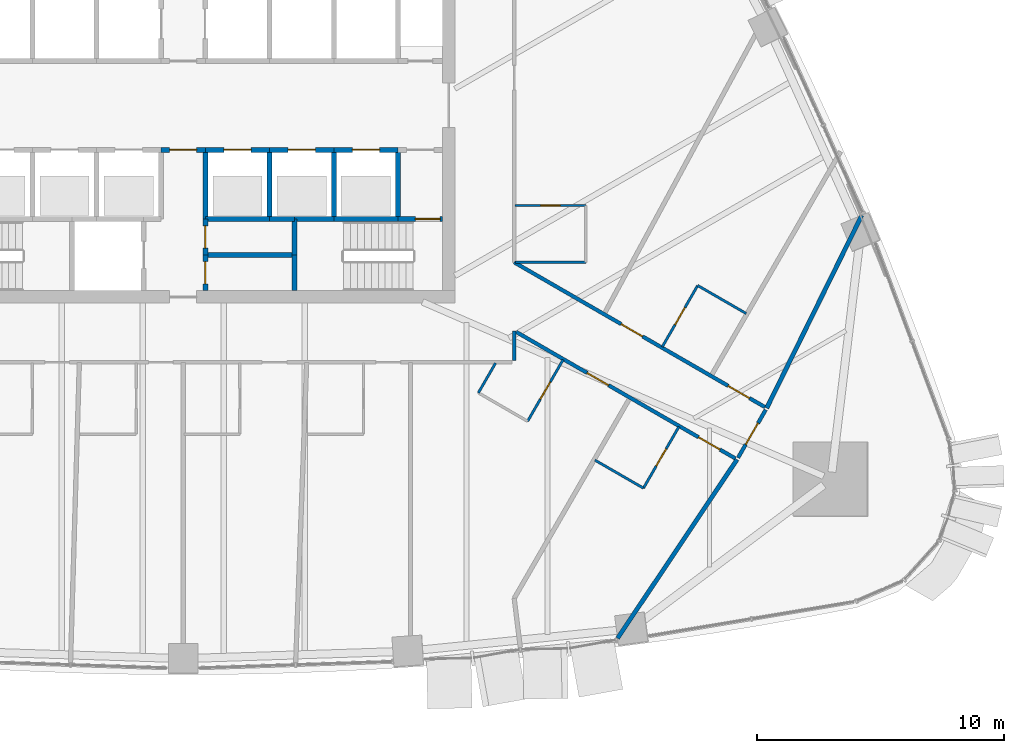
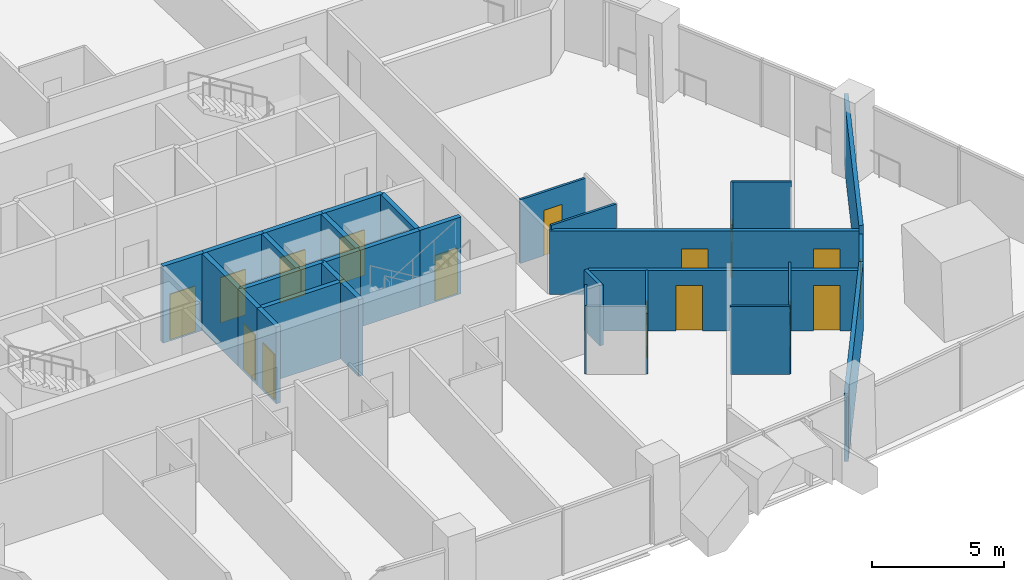
# One storey, part 12 of 18: 32 walls, 16 doors, 16 openings.
"""IFC4 building model written with IfcOpenShell, lengths in metres."""

from ifc_helpers import new_model, si_unit, direction, frame, frame_2d, origin, place, context, subcontext, project, spatial, rectangle, extrude, material, layer, layer_set, type_object, element, fill, save


model = new_model("IFC4")

# Units and contexts
model_context = context("Model", 3, precision=1e-05, world=origin(), true_north=direction((0.0, 1.0)))
body_context = subcontext(model_context, "Body", "Model", "MODEL_VIEW")
ifc_project = project(units=[si_unit("LENGTHUNIT", "METRE"), si_unit("AREAUNIT", "SQUARE_METRE"), si_unit("VOLUMEUNIT", "CUBIC_METRE"), si_unit("PLANEANGLEUNIT", "RADIAN"), si_unit("MASSUNIT", "GRAM", prefix="KILO")], contexts=[model_context])

# Site, building, storey
site_placement = place(None, origin())
site = spatial("IfcSite", under=ifc_project, at=site_placement, CompositionType="ELEMENT")
building_placement = place(site_placement, origin())
building = spatial("IfcBuilding", under=site, at=building_placement, Name="Sierra Prisma Convention Tower", CompositionType="ELEMENT")
storey_placement = place(building_placement, frame((0.0, 0.0, 81.300048828125)))
storey = spatial("IfcBuildingStorey", under=building, at=storey_placement, Name="L16", CompositionType="ELEMENT", Elevation=81.300048828125)

# Wall, opening, door
ifc_material_1 = material(Name="Gypsum board partition", Category="gypsum")
ifc_layer_1 = layer(ifc_material_1, 0.10009765625)
ifc_layer_set_1 = layer_set([ifc_layer_1], Name="Bathroom partition 100")
wall_type_1 = type_object("IfcWallType", Name="Bathroom partition 100", PredefinedType="PARTITIONING", material=ifc_layer_set_1)
wall_1_placement = place(storey_placement, frame((15.376953125, -10.298095703125, 0.0), z_axis=(0.0, 0.0, 1.0), x_axis=(-0.499999802827, -0.866025517622, 0.0)))
wall_1 = element("IfcWall", 1, at=wall_1_placement, inside=storey, type_object=wall_type_1, Name="Partition L16 bath 23", PredefinedType="PARTITIONING", context=body_context, shape_type="SweptSolid", body=[
    extrude(rectangle(XDim=2.8701171875, YDim=0.10009765625, at=frame_2d((1.43505859375, 0.0))), origin(), (0.0, 0.0, 1.0), 2.796875),
])
opening_1_placement = place(wall_1_placement, frame((1.034912109375, 0.0, 0.0)))
opening_1 = element("IfcOpeningElement", 2, at=opening_1_placement, cuts=wall_1, Name="Opening L16-D013", PredefinedType="OPENING", context=body_context, shape_type="SweptSolid", body=[
    extrude(rectangle(XDim=0.800048828125, YDim=2.10009765625, at=frame_2d((0.39990234375, 1.050048828125))), frame((0.0, 0.050048828125, 0.0), z_axis=(0.0, -1.0, 0.0), x_axis=(1.0, 0.0, 0.0)), (0.0, 0.0, 1.0), 0.10009765625),
])
ifc_material_2 = material(Name="Solid core timber door leaf", Category="wood")
door_type_1 = type_object("IfcDoorType", Name="Door 800x2100 plain", OperationType="SINGLE_SWING_LEFT", PredefinedType="DOOR", material=ifc_material_2)
door_1_placement = place(opening_1_placement, origin())
door_1 = element("IfcDoor", 3, at=door_1_placement, inside=storey, type_object=door_type_1, Name="Door L16 31", OperationType="SINGLE_SWING_LEFT", OverallHeight=2.10009765625, OverallWidth=0.800048828125, PredefinedType="DOOR", context=body_context, shape_type="SweptSolid", body=[
    extrude(rectangle(XDim=0.800048828125, YDim=2.10009765625, at=frame_2d((0.39990234375, 1.050048828125))), frame((0.0, 0.02490234375, 0.0), z_axis=(0.0, -1.0, 0.0), x_axis=(1.0, 0.0, 0.0)), (0.0, 0.0, 1.0), 0.050048828125),
])
fill(opening_1, door_1)

# Wall
wall_2_placement = place(storey_placement, frame((11.949951171875, -11.633544921875, 0.0), z_axis=(0.0, 0.0, 1.0), x_axis=(0.500087364259, 0.86597495813, 0.0)))
element("IfcWall", 4, at=wall_2_placement, inside=storey, type_object=wall_type_1, Name="Partition L16 bath 25", PredefinedType="PARTITIONING", context=body_context, shape_type="SweptSolid", body=[
    extrude(rectangle(XDim=1.389892578125, YDim=0.10009765625, at=frame_2d((0.69482421875, 0.0))), origin(), (0.0, 0.0, 1.0), 3.14990234375),
])

# Wall, opening, door
wall_3_placement = place(storey_placement, frame((13.429931640625, -4.05078125, 0.0), z_axis=(0.0, 0.0, 1.0), x_axis=(1.0, 0.0, 0.0)))
wall_3 = element("IfcWall", 5, at=wall_3_placement, inside=storey, type_object=wall_type_1, Name="Partition L16 bath 26", PredefinedType="PARTITIONING", context=body_context, shape_type="SweptSolid", body=[
    extrude(rectangle(XDim=2.8701171875, YDim=0.10009765625, at=frame_2d((1.43505859375, 0.0))), origin(), (0.0, 0.0, 1.0), 2.947021484375),
])
opening_2_placement = place(wall_3_placement, frame((1.034912109375, 0.0, 0.0)))
opening_2 = element("IfcOpeningElement", 6, at=opening_2_placement, cuts=wall_3, Name="Opening L16-D001", PredefinedType="OPENING", context=body_context, shape_type="SweptSolid", body=[
    extrude(rectangle(XDim=0.800048828125, YDim=2.10009765625, at=frame_2d((0.39990234375, 1.050048828125))), frame((0.0, 0.050048828125, 0.0), z_axis=(0.0, -1.0, 0.0), x_axis=(1.0, 0.0, 0.0)), (0.0, 0.0, 1.0), 0.10009765625),
])
door_2_placement = place(opening_2_placement, origin())
door_2 = element("IfcDoor", 7, at=door_2_placement, inside=storey, type_object=door_type_1, Name="Door L16 2", OperationType="SINGLE_SWING_LEFT", OverallHeight=2.10009765625, OverallWidth=0.800048828125, PredefinedType="DOOR", context=body_context, shape_type="SweptSolid", body=[
    extrude(rectangle(XDim=0.800048828125, YDim=2.10009765625, at=frame_2d((0.39990234375, 1.050048828125))), frame((0.0, 0.02490234375, 0.0), z_axis=(0.0, -1.0, 0.0), x_axis=(1.0, 0.0, 0.0)), (0.0, 0.0, 1.0), 0.050048828125),
])
fill(opening_2, door_2)

# Wall
wall_4_placement = place(storey_placement, frame((16.300048828125, -6.350830078125, 0.0), z_axis=(0.0, 0.0, 1.0), x_axis=(-1.0, 0.0, 0.0)))
element("IfcWall", 8, at=wall_4_placement, inside=storey, type_object=wall_type_1, Name="Partition L16 bath 28", PredefinedType="PARTITIONING", context=body_context, shape_type="SweptSolid", body=[
    extrude(rectangle(XDim=2.840087890625, YDim=0.10009765625, at=frame_2d((1.419921875, 0.0))), origin(), (0.0, 0.0, 1.0), 3.14990234375),
])

# Wall, opening, door
wall_5_placement = place(storey_placement, frame((20.066162109375, -13.005615234375, 0.0), z_axis=(0.0, 0.0, 1.0), x_axis=(-0.500036638401, -0.866004249561, 0.0)))
wall_5 = element("IfcWall", 9, at=wall_5_placement, inside=storey, type_object=wall_type_1, Name="Partition L16 bath 29", PredefinedType="PARTITIONING", context=body_context, shape_type="SweptSolid", body=[
    extrude(rectangle(XDim=2.869873046875, YDim=0.10009765625, at=frame_2d((1.43505859375, 0.0))), origin(), (0.0, 0.0, 1.0), 3.14990234375),
])
opening_3_placement = place(wall_5_placement, frame((1.034912109375, 0.0, 0.0)))
opening_3 = element("IfcOpeningElement", 10, at=opening_3_placement, cuts=wall_5, Name="Opening L16-D014", PredefinedType="OPENING", context=body_context, shape_type="SweptSolid", body=[
    extrude(rectangle(XDim=0.800048828125, YDim=2.10009765625, at=frame_2d((0.39990234375, 1.050048828125))), frame((0.0, 0.050048828125, 0.0), z_axis=(0.0, -1.0, 0.0), x_axis=(1.0, 0.0, 0.0)), (0.0, 0.0, 1.0), 0.10009765625),
])
door_3_placement = place(opening_3_placement, origin())
door_3 = element("IfcDoor", 11, at=door_3_placement, inside=storey, type_object=door_type_1, Name="Door L16 33", OperationType="SINGLE_SWING_RIGHT", OverallHeight=2.10009765625, OverallWidth=0.800048828125, PredefinedType="DOOR", context=body_context, shape_type="SweptSolid", body=[
    extrude(rectangle(XDim=0.800048828125, YDim=2.10009765625, at=frame_2d((0.39990234375, 1.050048828125))), frame((0.0, 0.02490234375, 0.0), z_axis=(0.0, -1.0, 0.0), x_axis=(1.0, 0.0, 0.0)), (0.0, 0.0, 1.0), 0.050048828125),
])
fill(opening_3, door_3)

# Wall
wall_6_placement = place(storey_placement, frame((18.631103515625, -15.490966796875, 0.0), z_axis=(0.0, 0.0, 1.0), x_axis=(-0.866017224141, 0.500014167291, 0.0)))
element("IfcWall", 12, at=wall_6_placement, inside=storey, type_object=wall_type_1, Name="Partition L16 bath 30", PredefinedType="PARTITIONING", context=body_context, shape_type="SweptSolid", body=[
    extrude(rectangle(XDim=2.27001953125, YDim=0.10009765625, at=frame_2d((1.135009765625, 0.0))), origin(), (0.0, 0.0, 1.0), 3.14990234375),
])

# Wall, opening, door
wall_7_placement = place(storey_placement, frame((19.390625, -9.77490234375, 0.0), z_axis=(0.0, 0.0, 1.0), x_axis=(0.499999802827, 0.866025517622, 0.0)))
wall_7 = element("IfcWall", 13, at=wall_7_placement, inside=storey, type_object=wall_type_1, Name="Partition L16 bath 31", PredefinedType="PARTITIONING", context=body_context, shape_type="SweptSolid", body=[
    extrude(rectangle(XDim=2.8701171875, YDim=0.10009765625, at=frame_2d((1.43505859375, 0.0))), origin(), (0.0, 0.0, 1.0), 3.14990234375),
])
opening_4_placement = place(wall_7_placement, frame((1.034912109375, 0.0, 0.0)))
opening_4 = element("IfcOpeningElement", 14, at=opening_4_placement, cuts=wall_7, Name="Opening L16-D015", PredefinedType="OPENING", context=body_context, shape_type="SweptSolid", body=[
    extrude(rectangle(XDim=0.800048828125, YDim=2.10009765625, at=frame_2d((0.39990234375, 1.050048828125))), frame((0.0, 0.050048828125, 0.0), z_axis=(0.0, -1.0, 0.0), x_axis=(1.0, 0.0, 0.0)), (0.0, 0.0, 1.0), 0.10009765625),
])
door_4_placement = place(opening_4_placement, origin())
door_4 = element("IfcDoor", 15, at=door_4_placement, inside=storey, type_object=door_type_1, Name="Door L16 37", OperationType="SINGLE_SWING_RIGHT", OverallHeight=2.10009765625, OverallWidth=0.800048828125, PredefinedType="DOOR", context=body_context, shape_type="SweptSolid", body=[
    extrude(rectangle(XDim=0.800048828125, YDim=2.10009765625, at=frame_2d((0.39990234375, 1.050048828125))), frame((0.0, 0.02490234375, 0.0), z_axis=(0.0, -1.0, 0.0), x_axis=(1.0, 0.0, 0.0)), (0.0, 0.0, 1.0), 0.050048828125),
])
fill(opening_4, door_4)

# Wall
wall_8_placement = place(storey_placement, frame((20.82568359375, -7.289306640625, 0.0), z_axis=(0.0, 0.0, 1.0), x_axis=(0.866017224141, -0.500014167291, 0.0)))
element("IfcWall", 16, at=wall_8_placement, inside=storey, type_object=wall_type_1, Name="Partition L16 bath 32", PredefinedType="PARTITIONING", context=body_context, shape_type="SweptSolid", body=[
    extrude(rectangle(XDim=2.27001953125, YDim=0.10009765625, at=frame_2d((1.135009765625, 0.0))), origin(), (0.0, 0.0, 1.0), 3.14990234375),
])

# Wall, opening, door
ifc_material_3 = material(Name="Concrete C30/37", Category="concrete")
ifc_layer_2 = layer(ifc_material_3, 0.199951171875)
ifc_layer_set_2 = layer_set([ifc_layer_2], Name="Core wall RC 200 C30/37")
wall_type_2 = type_object("IfcWallType", Name="Core wall RC 200 C30/37", PredefinedType="SOLIDWALL", material=ifc_layer_set_2)
wall_9_placement = place(storey_placement, frame((-0.89990234375, -1.800048828125, 0.0), z_axis=(0.0, 0.0, 1.0), x_axis=(1.0, 0.0, 0.0)))
wall_9 = element("IfcWall", 17, at=wall_9_placement, inside=storey, type_object=wall_type_2, Name="Core wall L16 32", PredefinedType="SOLIDWALL", context=body_context, shape_type="SweptSolid", body=[
    extrude(rectangle(XDim=1.7998046875, YDim=0.199951171875, at=frame_2d((0.89990234375, 0.0))), origin(), (0.0, 0.0, 1.0), 3.550048828125),
])
opening_5_placement = place(wall_9_placement, frame((0.35009765625, 0.0, 0.0)))
opening_5 = element("IfcOpeningElement", 18, at=opening_5_placement, cuts=wall_9, Name="Opening L16-D028", PredefinedType="OPENING", context=body_context, shape_type="SweptSolid", body=[
    extrude(rectangle(XDim=1.10009765625, YDim=2.10009765625, at=frame_2d((0.550048828125, 1.050048828125))), frame((0.0, 0.10009765625, 0.0), z_axis=(0.0, -1.0, 0.0), x_axis=(1.0, 0.0, 0.0)), (0.0, 0.0, 1.0), 0.199951171875),
])
ifc_material_4 = material(Name="Steel fire door leaf", Category="steel")
door_type_2 = type_object("IfcDoorType", Name="Door 1100x2100 FD30S", OperationType="SINGLE_SWING_LEFT", PredefinedType="DOOR", material=ifc_material_4)
door_5_placement = place(opening_5_placement, origin())
door_5 = element("IfcDoor", 19, at=door_5_placement, inside=storey, type_object=door_type_2, Name="Door L16 50", OperationType="SINGLE_SWING_RIGHT", OverallHeight=2.10009765625, OverallWidth=1.10009765625, PredefinedType="DOOR", context=body_context, shape_type="SweptSolid", body=[
    extrude(rectangle(XDim=1.10009765625, YDim=2.10009765625, at=frame_2d((0.550048828125, 1.050048828125))), frame((0.0, 0.02490234375, 0.0), z_axis=(0.0, -1.0, 0.0), x_axis=(1.0, 0.0, 0.0)), (0.0, 0.0, 1.0), 0.050048828125),
])
fill(opening_5, door_5)

wall_10_placement = place(storey_placement, frame((0.89990234375, -6.050048828125, 0.0), z_axis=(0.0, 0.0, 1.0), x_axis=(0.0, -1.0, 0.0)))
wall_10 = element("IfcWall", 20, at=wall_10_placement, inside=storey, type_object=wall_type_2, Name="Core wall L16 34", PredefinedType="SOLIDWALL", context=body_context, shape_type="SweptSolid", body=[
    extrude(rectangle(XDim=1.449951171875, YDim=0.199951171875, at=frame_2d((0.72509765625, 0.0))), origin(), (0.0, 0.0, 1.0), 3.550048828125),
])
opening_6_placement = place(wall_10_placement, frame((0.27490234375, 0.0, 0.0)))
opening_6 = element("IfcOpeningElement", 21, at=opening_6_placement, cuts=wall_10, Name="Opening L16-D035", PredefinedType="OPENING", context=body_context, shape_type="SweptSolid", body=[
    extrude(rectangle(XDim=0.89990234375, YDim=2.10009765625, at=frame_2d((0.449951171875, 1.050048828125))), frame((0.0, 0.10009765625, 0.0), z_axis=(0.0, -1.0, 0.0), x_axis=(1.0, 0.0, 0.0)), (0.0, 0.0, 1.0), 0.199951171875),
])
ifc_material_5 = material(Name="Steel fire door leaf", Category="steel")
door_type_3 = type_object("IfcDoorType", Name="Door 900x2100 FD30S", OperationType="SINGLE_SWING_LEFT", PredefinedType="DOOR", material=ifc_material_5)
door_6_placement = place(opening_6_placement, origin())
door_6 = element("IfcDoor", 22, at=door_6_placement, inside=storey, type_object=door_type_3, Name="Door L16 57", OperationType="SINGLE_SWING_RIGHT", OverallHeight=2.10009765625, OverallWidth=0.89990234375, PredefinedType="DOOR", context=body_context, shape_type="SweptSolid", body=[
    extrude(rectangle(XDim=0.89990234375, YDim=2.10009765625, at=frame_2d((0.449951171875, 1.050048828125))), frame((0.0, 0.02490234375, 0.0), z_axis=(0.0, -1.0, 0.0), x_axis=(1.0, 0.0, 0.0)), (0.0, 0.0, 1.0), 0.050048828125),
])
fill(opening_6, door_6)

# Wall
wall_11_placement = place(storey_placement, frame((4.5, -6.050048828125, 0.0), z_axis=(0.0, 0.0, 1.0), x_axis=(-1.0, 0.0, 0.0)))
element("IfcWall", 23, at=wall_11_placement, inside=storey, type_object=wall_type_2, Name="Core wall L16 35", PredefinedType="SOLIDWALL", context=body_context, shape_type="SweptSolid", body=[
    extrude(rectangle(XDim=3.60009765625, YDim=0.199951171875, at=frame_2d((1.800048828125, 0.0))), origin(), (0.0, 0.0, 1.0), 3.550048828125),
])

# Wall, opening, door
wall_12_placement = place(storey_placement, frame((0.89990234375, -4.60009765625, 0.0), z_axis=(0.0, 0.0, 1.0), x_axis=(0.0, -1.0, 0.0)))
wall_12 = element("IfcWall", 24, at=wall_12_placement, inside=storey, type_object=wall_type_2, Name="Core wall L16 36", PredefinedType="SOLIDWALL", context=body_context, shape_type="SweptSolid", body=[
    extrude(rectangle(XDim=1.449951171875, YDim=0.199951171875, at=frame_2d((0.72509765625, 0.0))), origin(), (0.0, 0.0, 1.0), 3.550048828125),
])
opening_7_placement = place(wall_12_placement, frame((0.27490234375, 0.0, 0.0)))
opening_7 = element("IfcOpeningElement", 25, at=opening_7_placement, cuts=wall_12, Name="Opening L16-D036", PredefinedType="OPENING", context=body_context, shape_type="SweptSolid", body=[
    extrude(rectangle(XDim=0.89990234375, YDim=2.10009765625, at=frame_2d((0.449951171875, 1.050048828125))), frame((0.0, 0.10009765625, 0.0), z_axis=(0.0, -1.0, 0.0), x_axis=(1.0, 0.0, 0.0)), (0.0, 0.0, 1.0), 0.199951171875),
])
door_7_placement = place(opening_7_placement, origin())
door_7 = element("IfcDoor", 26, at=door_7_placement, inside=storey, type_object=door_type_3, Name="Door L16 58", OperationType="SINGLE_SWING_RIGHT", OverallHeight=2.10009765625, OverallWidth=0.89990234375, PredefinedType="DOOR", context=body_context, shape_type="SweptSolid", body=[
    extrude(rectangle(XDim=0.89990234375, YDim=2.10009765625, at=frame_2d((0.449951171875, 1.050048828125))), frame((0.0, 0.02490234375, 0.0), z_axis=(0.0, -1.0, 0.0), x_axis=(1.0, 0.0, 0.0)), (0.0, 0.0, 1.0), 0.050048828125),
])
fill(opening_7, door_7)

# Walls
wall_13_placement = place(storey_placement, frame((3.5, -4.60009765625, 0.0), z_axis=(0.0, 0.0, 1.0), x_axis=(-1.0, 0.0, 0.0)))
element("IfcWall", 27, at=wall_13_placement, inside=storey, type_object=wall_type_2, Name="Core wall L16 37", PredefinedType="SOLIDWALL", context=body_context, shape_type="SweptSolid", body=[
    extrude(rectangle(XDim=2.60009765625, YDim=0.199951171875, at=frame_2d((1.300048828125, 0.0))), origin(), (0.0, 0.0, 1.0), 3.550048828125),
])
wall_14_placement = place(storey_placement, frame((0.89990234375, -1.800048828125, 0.0), z_axis=(0.0, 0.0, 1.0), x_axis=(0.0, -1.0, 0.0)))
element("IfcWall", 28, at=wall_14_placement, inside=storey, type_object=wall_type_2, Name="Core wall L16 38", PredefinedType="SOLIDWALL", context=body_context, shape_type="SweptSolid", body=[
    extrude(rectangle(XDim=2.800048828125, YDim=0.199951171875, at=frame_2d((1.39990234375, 0.0))), origin(), (0.0, 0.0, 1.0), 3.550048828125),
])

# Wall, opening, door
wall_15_placement = place(storey_placement, frame((0.89990234375, -1.800048828125, 0.0), z_axis=(0.0, 0.0, 1.0), x_axis=(1.0, 0.0, 0.0)))
wall_15 = element("IfcWall", 29, at=wall_15_placement, inside=storey, type_object=wall_type_2, Name="Core wall L16 39", PredefinedType="SOLIDWALL", context=body_context, shape_type="SweptSolid", body=[
    extrude(rectangle(XDim=2.60009765625, YDim=0.199951171875, at=frame_2d((1.300048828125, 0.0))), origin(), (0.0, 0.0, 1.0), 3.550048828125),
])
opening_8_placement = place(wall_15_placement, frame((0.75, 0.0, 0.0)))
opening_8 = element("IfcOpeningElement", 30, at=opening_8_placement, cuts=wall_15, Name="Opening L16-D019", PredefinedType="OPENING", context=body_context, shape_type="SweptSolid", body=[
    extrude(rectangle(XDim=1.10009765625, YDim=2.10009765625, at=frame_2d((0.550048828125, 1.050048828125))), frame((0.0, 0.10009765625, 0.0), z_axis=(0.0, -1.0, 0.0), x_axis=(1.0, 0.0, 0.0)), (0.0, 0.0, 1.0), 0.199951171875),
])
ifc_material_6 = material(Name="Steel fire door leaf", Category="steel")
door_type_4 = type_object("IfcDoorType", Name="Door 1100x2100 EI 90 sliding lift landing", OperationType="SLIDING_TO_LEFT", PredefinedType="DOOR", material=ifc_material_6)
door_8_placement = place(opening_8_placement, origin())
door_8 = element("IfcDoor", 31, at=door_8_placement, inside=storey, type_object=door_type_4, Name="Door L16 41", OperationType="SLIDING_TO_RIGHT", OverallHeight=2.10009765625, OverallWidth=1.10009765625, PredefinedType="DOOR", context=body_context, shape_type="SweptSolid", body=[
    extrude(rectangle(XDim=1.10009765625, YDim=2.10009765625, at=frame_2d((0.550048828125, 1.050048828125))), frame((0.0, 0.02490234375, 0.0), z_axis=(0.0, -1.0, 0.0), x_axis=(1.0, 0.0, 0.0)), (0.0, 0.0, 1.0), 0.050048828125),
])
fill(opening_8, door_8)

# Walls
wall_16_placement = place(storey_placement, frame((4.5, -4.60009765625, 0.0), z_axis=(0.0, 0.0, 1.0), x_axis=(-1.0, 0.0, 0.0)))
element("IfcWall", 32, at=wall_16_placement, inside=storey, type_object=wall_type_2, Name="Core wall L16 44", PredefinedType="SOLIDWALL", context=body_context, shape_type="SweptSolid", body=[
    extrude(rectangle(XDim=1.0, YDim=0.199951171875, at=frame_2d((0.5, 0.0))), origin(), (0.0, 0.0, 1.0), 3.550048828125),
])
wall_17_placement = place(storey_placement, frame((3.5, -4.60009765625, 0.0), z_axis=(0.0, 0.0, 1.0), x_axis=(0.0, 1.0, 0.0)))
element("IfcWall", 33, at=wall_17_placement, inside=storey, type_object=wall_type_2, Name="Core wall L16 45", PredefinedType="SOLIDWALL", context=body_context, shape_type="SweptSolid", body=[
    extrude(rectangle(XDim=2.800048828125, YDim=0.199951171875, at=frame_2d((1.39990234375, 0.0))), origin(), (0.0, 0.0, 1.0), 3.550048828125),
])

# Wall, opening, door
wall_18_placement = place(storey_placement, frame((3.5, -1.800048828125, 0.0), z_axis=(0.0, 0.0, 1.0), x_axis=(1.0, 0.0, 0.0)))
wall_18 = element("IfcWall", 34, at=wall_18_placement, inside=storey, type_object=wall_type_2, Name="Core wall L16 46", PredefinedType="SOLIDWALL", context=body_context, shape_type="SweptSolid", body=[
    extrude(rectangle(XDim=2.60009765625, YDim=0.199951171875, at=frame_2d((1.300048828125, 0.0))), origin(), (0.0, 0.0, 1.0), 3.550048828125),
])
opening_9_placement = place(wall_18_placement, frame((0.75, 0.0, 0.0)))
opening_9 = element("IfcOpeningElement", 35, at=opening_9_placement, cuts=wall_18, Name="Opening L16-D020", PredefinedType="OPENING", context=body_context, shape_type="SweptSolid", body=[
    extrude(rectangle(XDim=1.10009765625, YDim=2.10009765625, at=frame_2d((0.550048828125, 1.050048828125))), frame((0.0, 0.10009765625, 0.0), z_axis=(0.0, -1.0, 0.0), x_axis=(1.0, 0.0, 0.0)), (0.0, 0.0, 1.0), 0.199951171875),
])
door_9_placement = place(opening_9_placement, origin())
door_9 = element("IfcDoor", 36, at=door_9_placement, inside=storey, type_object=door_type_4, Name="Door L16 42", OperationType="SLIDING_TO_LEFT", OverallHeight=2.10009765625, OverallWidth=1.10009765625, PredefinedType="DOOR", context=body_context, shape_type="SweptSolid", body=[
    extrude(rectangle(XDim=1.10009765625, YDim=2.10009765625, at=frame_2d((0.550048828125, 1.050048828125))), frame((0.0, 0.02490234375, 0.0), z_axis=(0.0, -1.0, 0.0), x_axis=(1.0, 0.0, 0.0)), (0.0, 0.0, 1.0), 0.050048828125),
])
fill(opening_9, door_9)

# Walls
for number, where, z_axis, x_axis, name in (
    (37, (4.5, -7.5, 0.0), (0.0, 0.0, 1.0), (0.0, 1.0, 0.0), "Core wall L16 52"),
    (38, (4.5, -6.050048828125, 0.0), (0.0, 0.0, 1.0), (0.0, 1.0, 0.0), "Core wall L16 53"),
):
    element("IfcWall", number, at=place(storey_placement, frame(where, z_axis=z_axis, x_axis=x_axis)), inside=storey, type_object=wall_type_2, Name=name, PredefinedType="SOLIDWALL", context=body_context, shape_type="SweptSolid", body=[
        extrude(rectangle(XDim=1.449951171875, YDim=0.199951171875, at=frame_2d((0.72509765625, 0.0))), origin(), (0.0, 0.0, 1.0), 3.550048828125),
    ])
wall_19_placement = place(storey_placement, frame((4.5, -4.60009765625, 0.0), z_axis=(0.0, 0.0, 1.0), x_axis=(1.0, 0.0, 0.0)))
element("IfcWall", 39, at=wall_19_placement, inside=storey, type_object=wall_type_2, Name="Core wall L16 54", PredefinedType="SOLIDWALL", context=body_context, shape_type="SweptSolid", body=[
    extrude(rectangle(XDim=1.60009765625, YDim=0.199951171875, at=frame_2d((0.800048828125, 0.0))), origin(), (0.0, 0.0, 1.0), 3.550048828125),
])
wall_20_placement = place(storey_placement, frame((6.10009765625, -4.60009765625, 0.0), z_axis=(0.0, 0.0, 1.0), x_axis=(1.0, 0.0, 0.0)))
element("IfcWall", 40, at=wall_20_placement, inside=storey, type_object=wall_type_2, Name="Core wall L16 55", PredefinedType="SOLIDWALL", context=body_context, shape_type="SweptSolid", body=[
    extrude(rectangle(XDim=2.599853515625, YDim=0.199951171875, at=frame_2d((1.2998046875, 0.0))), origin(), (0.0, 0.0, 1.0), 3.550048828125),
])
wall_21_placement = place(storey_placement, frame((6.10009765625, -4.60009765625, 0.0), z_axis=(0.0, 0.0, 1.0), x_axis=(0.0, 1.0, 0.0)))
element("IfcWall", 41, at=wall_21_placement, inside=storey, type_object=wall_type_2, Name="Core wall L16 56", PredefinedType="SOLIDWALL", context=body_context, shape_type="SweptSolid", body=[
    extrude(rectangle(XDim=2.800048828125, YDim=0.199951171875, at=frame_2d((1.39990234375, 0.0))), origin(), (0.0, 0.0, 1.0), 3.550048828125),
])

# Wall, opening, door
wall_22_placement = place(storey_placement, frame((6.10009765625, -1.800048828125, 0.0), z_axis=(0.0, 0.0, 1.0), x_axis=(1.0, 0.0, 0.0)))
wall_22 = element("IfcWall", 42, at=wall_22_placement, inside=storey, type_object=wall_type_2, Name="Core wall L16 57", PredefinedType="SOLIDWALL", context=body_context, shape_type="SweptSolid", body=[
    extrude(rectangle(XDim=2.599853515625, YDim=0.199951171875, at=frame_2d((1.2998046875, 0.0))), origin(), (0.0, 0.0, 1.0), 3.550048828125),
])
opening_10_placement = place(wall_22_placement, frame((0.75, 0.0, 0.0)))
opening_10 = element("IfcOpeningElement", 43, at=opening_10_placement, cuts=wall_22, Name="Opening L16-D021", PredefinedType="OPENING", context=body_context, shape_type="SweptSolid", body=[
    extrude(rectangle(XDim=1.10009765625, YDim=2.10009765625, at=frame_2d((0.550048828125, 1.050048828125))), frame((0.0, 0.10009765625, 0.0), z_axis=(0.0, -1.0, 0.0), x_axis=(1.0, 0.0, 0.0)), (0.0, 0.0, 1.0), 0.199951171875),
])
door_10_placement = place(opening_10_placement, origin())
door_10 = element("IfcDoor", 44, at=door_10_placement, inside=storey, type_object=door_type_4, Name="Door L16 43", OperationType="SLIDING_TO_RIGHT", OverallHeight=2.10009765625, OverallWidth=1.10009765625, PredefinedType="DOOR", context=body_context, shape_type="SweptSolid", body=[
    extrude(rectangle(XDim=1.10009765625, YDim=2.10009765625, at=frame_2d((0.550048828125, 1.050048828125))), frame((0.0, 0.02490234375, 0.0), z_axis=(0.0, -1.0, 0.0), x_axis=(1.0, 0.0, 0.0)), (0.0, 0.0, 1.0), 0.050048828125),
])
fill(opening_10, door_10)

wall_23_placement = place(storey_placement, frame((8.699951171875, -4.60009765625, 0.0), z_axis=(0.0, 0.0, 1.0), x_axis=(1.0, 0.0, 0.0)))
wall_23 = element("IfcWall", 45, at=wall_23_placement, inside=storey, type_object=wall_type_2, Name="Core wall L16 61", PredefinedType="SOLIDWALL", context=body_context, shape_type="SweptSolid", body=[
    extrude(rectangle(XDim=1.800048828125, YDim=0.199951171875, at=frame_2d((0.89990234375, 0.0))), origin(), (0.0, 0.0, 1.0), 3.550048828125),
])
opening_11_placement = place(wall_23_placement, frame((0.699951171875, 0.0, 0.0)))
opening_11 = element("IfcOpeningElement", 46, at=opening_11_placement, cuts=wall_23, Name="Opening L16-D032", PredefinedType="OPENING", context=body_context, shape_type="SweptSolid", body=[
    extrude(rectangle(XDim=1.0, YDim=2.10009765625, at=frame_2d((0.5, 1.050048828125))), frame((0.0, 0.10009765625, 0.0), z_axis=(0.0, -1.0, 0.0), x_axis=(1.0, 0.0, 0.0)), (0.0, 0.0, 1.0), 0.199951171875),
])
ifc_material_7 = material(Name="Steel fire door leaf", Category="steel")
door_type_5 = type_object("IfcDoorType", Name="Door 1000x2100 FD90S", OperationType="SINGLE_SWING_LEFT", PredefinedType="DOOR", material=ifc_material_7)
door_11_placement = place(opening_11_placement, origin())
door_11 = element("IfcDoor", 47, at=door_11_placement, inside=storey, type_object=door_type_5, Name="Door L16 54", OperationType="SINGLE_SWING_RIGHT", OverallHeight=2.10009765625, OverallWidth=1.0, PredefinedType="DOOR", context=body_context, shape_type="SweptSolid", body=[
    extrude(rectangle(XDim=1.0, YDim=2.10009765625, at=frame_2d((0.5, 1.050048828125))), frame((0.0, 0.02490234375, 0.0), z_axis=(0.0, -1.0, 0.0), x_axis=(1.0, 0.0, 0.0)), (0.0, 0.0, 1.0), 0.050048828125),
])
fill(opening_11, door_11)

# Walls
wall_24_placement = place(storey_placement, frame((8.699951171875, -1.800048828125, 0.0), z_axis=(0.0, 0.0, 1.0), x_axis=(0.0, -1.0, 0.0)))
element("IfcWall", 48, at=wall_24_placement, inside=storey, type_object=wall_type_2, Name="Core wall L16 62", PredefinedType="SOLIDWALL", context=body_context, shape_type="SweptSolid", body=[
    extrude(rectangle(XDim=2.800048828125, YDim=0.199951171875, at=frame_2d((1.39990234375, 0.0))), origin(), (0.0, 0.0, 1.0), 3.550048828125),
])
ifc_material_8 = material(Name="Gypsum board partition", Category="gypsum")
ifc_layer_3 = layer(ifc_material_8, 0.14990234375)
ifc_layer_set_3 = layer_set([ifc_layer_3], Name="Corridor wall 150 gypsum EI 60")
wall_type_3 = type_object("IfcWallType", Name="Corridor wall 150 gypsum EI 60", PredefinedType="PARTITIONING", material=ifc_layer_set_3)
wall_25_placement = place(storey_placement, frame((13.39990234375, -10.320068359375, 0.0), z_axis=(0.0, 0.0, 1.0), x_axis=(0.0, 1.0, 0.0)))
element("IfcWall", 49, at=wall_25_placement, inside=storey, type_object=wall_type_3, Name="Partition L16 corr 14", PredefinedType="PARTITIONING", context=body_context, shape_type="SweptSolid", body=[
    extrude(rectangle(XDim=1.197998046875, YDim=0.14990234375, at=frame_2d((0.59912109375, 0.0))), origin(), (0.0, 0.0, 1.0), 2.796875),
])

# Wall, openings, doors
wall_26_placement = place(storey_placement, frame((13.479248046875, -9.16796875, 0.0), z_axis=(0.0, 0.0, 1.0), x_axis=(0.866025631158, -0.499999606177, 0.0)))
wall_26 = element("IfcWall", 50, at=wall_26_placement, inside=storey, type_object=wall_type_3, Name="Partition L16 corr 15", PredefinedType="PARTITIONING", context=body_context, shape_type="SweptSolid", body=[
    extrude(rectangle(XDim=10.2431640625, YDim=0.14990234375, at=frame_2d((5.12158203125, 0.0))), origin(), (0.0, 0.0, 1.0), 2.796875),
])
opening_12_placement = place(wall_26_placement, frame((3.31591796875, 0.0, 0.0)))
opening_12 = element("IfcOpeningElement", 51, at=opening_12_placement, cuts=wall_26, Name="Opening L16-D054", PredefinedType="OPENING", context=body_context, shape_type="SweptSolid", body=[
    extrude(rectangle(XDim=1.0, YDim=2.10009765625, at=frame_2d((0.5, 1.050048828125))), frame((0.0, 0.074951171875, 0.0), z_axis=(0.0, -1.0, 0.0), x_axis=(1.0, 0.0, 0.0)), (0.0, 0.0, 1.0), 0.14990234375),
])
opening_13_placement = place(wall_26_placement, frame((8.523193359375, 0.0, 0.0)))
opening_13 = element("IfcOpeningElement", 52, at=opening_13_placement, cuts=wall_26, Name="Opening L16-D055", PredefinedType="OPENING", context=body_context, shape_type="SweptSolid", body=[
    extrude(rectangle(XDim=1.0, YDim=2.10009765625, at=frame_2d((0.5, 1.050048828125))), frame((0.0, 0.074951171875, 0.0), z_axis=(0.0, -1.0, 0.0), x_axis=(1.0, 0.0, 0.0)), (0.0, 0.0, 1.0), 0.14990234375),
])
ifc_material_9 = material(Name="Steel fire door leaf", Category="steel")
door_type_6 = type_object("IfcDoorType", Name="Door 1000x2100 FD30S", OperationType="SINGLE_SWING_LEFT", PredefinedType="DOOR", material=ifc_material_9)
door_12_placement = place(opening_12_placement, origin())
door_12 = element("IfcDoor", 53, at=door_12_placement, inside=storey, type_object=door_type_6, Name="Door L16 30", OperationType="SINGLE_SWING_LEFT", OverallHeight=2.10009765625, OverallWidth=1.0, PredefinedType="DOOR", context=body_context, shape_type="SweptSolid", body=[
    extrude(rectangle(XDim=1.0, YDim=2.10009765625, at=frame_2d((0.5, 1.050048828125))), frame((0.0, 0.02490234375, 0.0), z_axis=(0.0, -1.0, 0.0), x_axis=(1.0, 0.0, 0.0)), (0.0, 0.0, 1.0), 0.050048828125),
])
fill(opening_12, door_12)
door_13_placement = place(opening_13_placement, origin())
door_13 = element("IfcDoor", 54, at=door_13_placement, inside=storey, type_object=door_type_6, Name="Door L16 32", OperationType="SINGLE_SWING_LEFT", OverallHeight=2.10009765625, OverallWidth=1.0, PredefinedType="DOOR", context=body_context, shape_type="SweptSolid", body=[
    extrude(rectangle(XDim=1.0, YDim=2.10009765625, at=frame_2d((0.5, 1.050048828125))), frame((0.0, 0.02490234375, 0.0), z_axis=(0.0, -1.0, 0.0), x_axis=(1.0, 0.0, 0.0)), (0.0, 0.0, 1.0), 0.050048828125),
])
fill(opening_13, door_13)

wall_27_placement = place(storey_placement, frame((23.550048828125, -12.2109375, 0.0), z_axis=(0.0, 0.0, 1.0), x_axis=(-0.866028447449, 0.499994728181, 0.0)))
wall_27 = element("IfcWall", 55, at=wall_27_placement, inside=storey, type_object=wall_type_3, Name="Partition L16 corr 16", PredefinedType="PARTITIONING", context=body_context, shape_type="SweptSolid", body=[
    extrude(rectangle(XDim=11.720458984375, YDim=0.14990234375, at=frame_2d((5.8603515625, 0.0))), origin(), (0.0, 0.0, 1.0), 2.947021484375),
])
opening_14_placement = place(wall_27_placement, frame((0.72021484375, 0.0, 0.0)))
opening_14 = element("IfcOpeningElement", 56, at=opening_14_placement, cuts=wall_27, Name="Opening L16-D057", PredefinedType="OPENING", context=body_context, shape_type="SweptSolid", body=[
    extrude(rectangle(XDim=1.0, YDim=2.10009765625, at=frame_2d((0.5, 1.050048828125))), frame((0.0, 0.074951171875, 0.0), z_axis=(0.0, -1.0, 0.0), x_axis=(1.0, 0.0, 0.0)), (0.0, 0.0, 1.0), 0.14990234375),
])
opening_15_placement = place(wall_27_placement, frame((5.72021484375, 0.0, 0.0)))
opening_15 = element("IfcOpeningElement", 57, at=opening_15_placement, cuts=wall_27, Name="Opening L16-D058", PredefinedType="OPENING", context=body_context, shape_type="SweptSolid", body=[
    extrude(rectangle(XDim=1.0, YDim=2.10009765625, at=frame_2d((0.5, 1.050048828125))), frame((0.0, 0.074951171875, 0.0), z_axis=(0.0, -1.0, 0.0), x_axis=(1.0, 0.0, 0.0)), (0.0, 0.0, 1.0), 0.14990234375),
])
door_14_placement = place(opening_14_placement, origin())
door_14 = element("IfcDoor", 58, at=door_14_placement, inside=storey, type_object=door_type_6, Name="Door L16 35", OperationType="SINGLE_SWING_RIGHT", OverallHeight=2.10009765625, OverallWidth=1.0, PredefinedType="DOOR", context=body_context, shape_type="SweptSolid", body=[
    extrude(rectangle(XDim=1.0, YDim=2.10009765625, at=frame_2d((0.5, 1.050048828125))), frame((0.0, 0.02490234375, 0.0), z_axis=(0.0, -1.0, 0.0), x_axis=(1.0, 0.0, 0.0)), (0.0, 0.0, 1.0), 0.050048828125),
])
fill(opening_14, door_14)
door_15_placement = place(opening_15_placement, origin())
door_15 = element("IfcDoor", 59, at=door_15_placement, inside=storey, type_object=door_type_6, Name="Door L16 36", OperationType="SINGLE_SWING_LEFT", OverallHeight=2.10009765625, OverallWidth=1.0, PredefinedType="DOOR", context=body_context, shape_type="SweptSolid", body=[
    extrude(rectangle(XDim=1.0, YDim=2.10009765625, at=frame_2d((0.5, 1.050048828125))), frame((0.0, 0.02490234375, 0.0), z_axis=(0.0, -1.0, 0.0), x_axis=(1.0, 0.0, 0.0)), (0.0, 0.0, 1.0), 0.050048828125),
])
fill(opening_15, door_15)

# Wall, opening, door
wall_28_placement = place(storey_placement, frame((22.45947265625, -14.26025390625, 0.0), z_axis=(0.0, 0.0, 1.0), x_axis=(0.49994888933, 0.866054910533, 0.0)))
wall_28 = element("IfcWall", 60, at=wall_28_placement, inside=storey, type_object=wall_type_3, Name="Partition L16 corr 18", PredefinedType="PARTITIONING", context=body_context, shape_type="SweptSolid", body=[
    extrude(rectangle(XDim=2.239990234375, YDim=0.14990234375, at=frame_2d((1.1201171875, 0.0))), origin(), (0.0, 0.0, 1.0), 2.796875),
])
opening_16_placement = place(wall_28_placement, frame((0.6201171875, 0.0, 0.0)))
opening_16 = element("IfcOpeningElement", 61, at=opening_16_placement, cuts=wall_28, Name="Opening L16-D056", PredefinedType="OPENING", context=body_context, shape_type="SweptSolid", body=[
    extrude(rectangle(XDim=1.0, YDim=2.10009765625, at=frame_2d((0.5, 1.050048828125))), frame((0.0, 0.074951171875, 0.0), z_axis=(0.0, -1.0, 0.0), x_axis=(1.0, 0.0, 0.0)), (0.0, 0.0, 1.0), 0.14990234375),
])
door_16_placement = place(opening_16_placement, origin())
door_16 = element("IfcDoor", 62, at=door_16_placement, inside=storey, type_object=door_type_6, Name="Door L16 34", OperationType="SINGLE_SWING_RIGHT", OverallHeight=2.10009765625, OverallWidth=1.0, PredefinedType="DOOR", context=body_context, shape_type="SweptSolid", body=[
    extrude(rectangle(XDim=1.0, YDim=2.10009765625, at=frame_2d((0.5, 1.050048828125))), frame((0.0, 0.02490234375, 0.0), z_axis=(0.0, -1.0, 0.0), x_axis=(1.0, 0.0, 0.0)), (0.0, 0.0, 1.0), 0.050048828125),
])
fill(opening_16, door_16)

# Walls
ifc_material_10 = material(Name="Acoustic gypsum board partition", Category="gypsum")
ifc_layer_4 = layer(ifc_material_10, 0.175048828125)
ifc_layer_set_4 = layer_set([ifc_layer_4], Name="Guest room party wall 175 acoustic EI 60")
wall_type_4 = type_object("IfcWallType", Name="Guest room party wall 175 acoustic EI 60", PredefinedType="PARTITIONING", material=ifc_layer_set_4)
wall_29_placement = place(storey_placement, frame((22.41943359375, -14.32958984375, 0.0), z_axis=(0.0, 0.0, 1.0), x_axis=(-0.555535204136, -0.831493016787, 0.0)))
element("IfcWall", 63, at=wall_29_placement, inside=storey, type_object=wall_type_4, Name="Partition L16 hparty 24", PredefinedType="PARTITIONING", context=body_context, shape_type="SweptSolid", body=[
    extrude(rectangle(XDim=8.701171875, YDim=0.175048828125, at=frame_2d((4.3505859375, 0.0))), origin(), (0.0, 0.0, 1.0), 3.14990234375),
])
wall_30_placement = place(storey_placement, frame((23.619384765625, -12.2509765625, 0.0), z_axis=(0.0, 0.0, 1.0), x_axis=(0.442347207514, 0.896843881623, 0.0)))
element("IfcWall", 64, at=wall_30_placement, inside=storey, type_object=wall_type_4, Name="Partition L16 hparty 26", PredefinedType="PARTITIONING", context=body_context, shape_type="SweptSolid", body=[
    extrude(rectangle(XDim=8.700927734375, YDim=0.175048828125, at=frame_2d((4.3505859375, 0.0))), origin(), (0.0, 0.0, 1.0), 3.14990234375),
])

save(model, "model.ifc")
